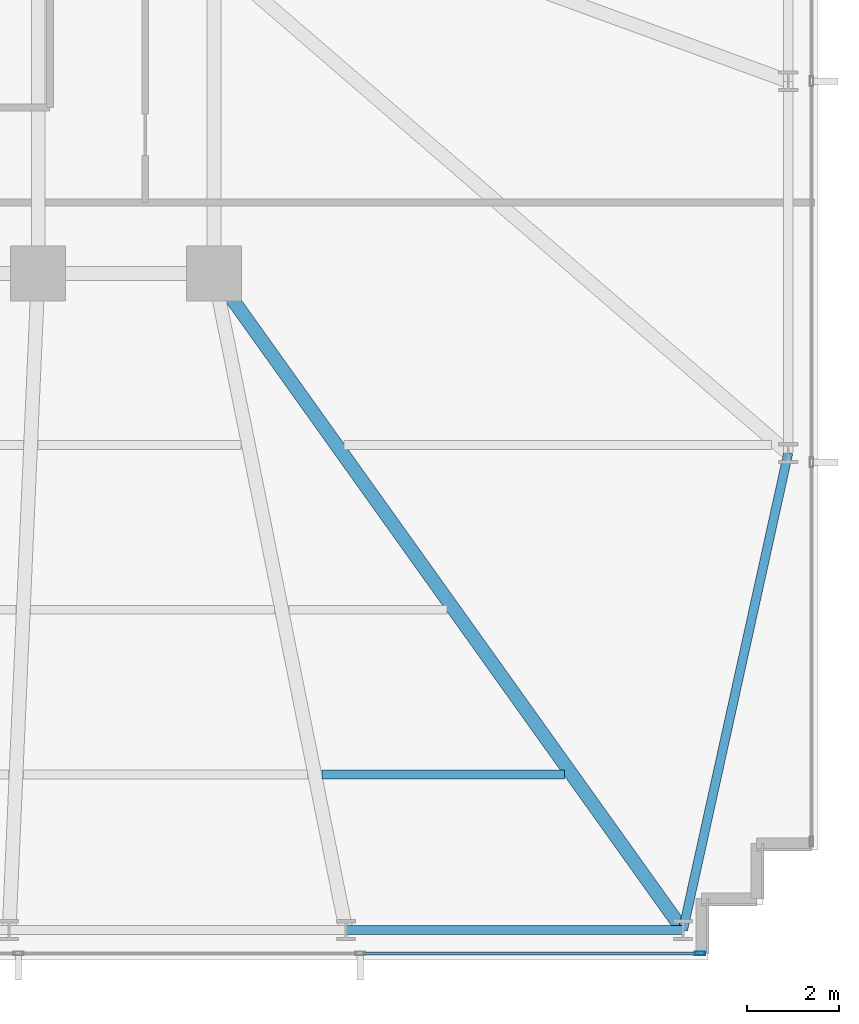
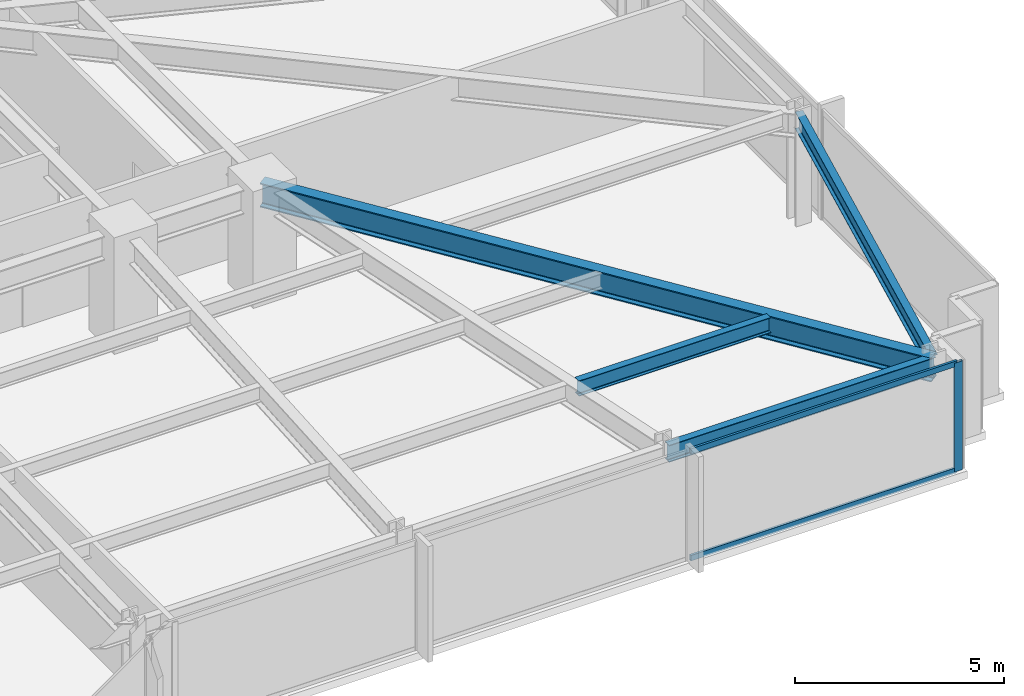
# One storey, part 15 of 32: 4 beams, 3 members, 1 element without a shape of its own.
"""IFC4 building model written with IfcOpenShell, lengths in metres."""

from ifc_helpers import new_model, si_unit, direction, frame, origin, origin_2d, place, context, subcontext, project, spatial, hollow_rectangle, i_section, extrude, material, material_profile, profile_set, type_object, element, aggregate, save


model = new_model("IFC4")

# Units and contexts
model_context = context("Model", 3, precision=1e-05, world=origin(), true_north=direction((0.0, 1.0)))
body_context = subcontext(model_context, "Body", "Model", "MODEL_VIEW")
ifc_project = project(units=[si_unit("LENGTHUNIT", "METRE"), si_unit("AREAUNIT", "SQUARE_METRE"), si_unit("VOLUMEUNIT", "CUBIC_METRE"), si_unit("PLANEANGLEUNIT", "RADIAN"), si_unit("MASSUNIT", "GRAM", prefix="KILO")], contexts=[model_context])

# Site, building, storey
site_placement = place(None, origin())
site = spatial("IfcSite", under=ifc_project, at=site_placement, CompositionType="ELEMENT")
building_placement = place(site_placement, origin())
building = spatial("IfcBuilding", under=site, at=building_placement, Name="Yelkora Congress Tower", CompositionType="ELEMENT")
storey_placement = place(building_placement, frame((0.0, 0.0, 61.0)))
storey = spatial("IfcBuildingStorey", under=building, at=storey_placement, Name="L15", CompositionType="ELEMENT", Elevation=61.0)

# Beams
ifc_material_1 = material(Name="Steel S355J2", Category="steel")
ifc_material_profile_1 = material_profile(ifc_material_1, i_section(OverallWidth=0.300048828125, OverallDepth=0.699951171875, WebThickness=0.01708984375, FlangeThickness=0.031982421875, FilletRadius=0.027099609375, at=origin_2d()), Name="HEB 700")
ifc_profile_set_1 = profile_set([ifc_material_profile_1], Name="Steel S355J2")
beam_type_1 = type_object("IfcBeamType", Name="BM-GIRD-HEB700", PredefinedType="BEAM", material=ifc_profile_set_1)
beam_1_placement = place(storey_placement, frame((67.85009765625, 10.85009765625, 2.830078125), z_axis=(-0.581242122521, 0.813730664906, 0.0), x_axis=(-0.813730664906, -0.581242122521, 0.0)))
element("IfcBeam", 1, at=beam_1_placement, inside=storey, type_object=beam_type_1, Name="L15 Primary Frame Girder S09", PredefinedType="BEAM", context=body_context, shape_type="SweptSolid", body=[
    extrude(i_section(OverallWidth=0.300048828125, OverallDepth=0.699951171875, WebThickness=0.01708984375, FlangeThickness=0.031982421875, FilletRadius=0.027099609375, at=origin_2d()), origin(), (0.0, 0.0, 1.0), 17.634765625),
])
ifc_material_profile_2 = material_profile(ifc_material_1, i_section(OverallWidth=0.18994140625, OverallDepth=0.449951171875, WebThickness=0.009521484375, FlangeThickness=0.0146484375, FilletRadius=0.02099609375, at=origin_2d()), Name="IPE 450")
ifc_profile_set_2 = profile_set([ifc_material_profile_2], Name="Steel S355J2")
beam_type_2 = type_object("IfcBeamType", Name="BM-JOIST-IPE450", PredefinedType="JOIST", material=ifc_profile_set_2)
beam_2_placement = place(storey_placement, frame((59.96337890625, 14.25, 2.955078125), z_axis=(1.0, 0.0, 0.0), x_axis=(0.0, 1.0, 0.0)))
element("IfcBeam", 2, at=beam_2_placement, inside=storey, type_object=beam_type_2, Name="L15 Composite Floor Joist 8", PredefinedType="JOIST", context=body_context, shape_type="SweptSolid", body=[
    extrude(i_section(OverallWidth=0.18994140625, OverallDepth=0.449951171875, WebThickness=0.009521484375, FlangeThickness=0.0146484375, FilletRadius=0.02099609375, at=origin_2d()), origin(), (0.0, 0.0, 1.0), 5.298095703125),
])
ifc_material_profile_3 = material_profile(ifc_material_1, i_section(OverallWidth=0.199951171875, OverallDepth=0.5, WebThickness=0.01025390625, FlangeThickness=0.01611328125, FilletRadius=0.02099609375, at=origin_2d()), Name="IPE 500")
ifc_profile_set_3 = profile_set([ifc_material_profile_3], Name="Steel S355J2")
beam_type_3 = type_object("IfcBeamType", Name="BM-SPAN-IPE500", PredefinedType="SPANDREL", material=ifc_profile_set_3)
beam_3_placement = place(storey_placement, frame((60.487548828125, 10.85009765625, 2.929931640625), z_axis=(1.0, 0.0, 0.0), x_axis=(0.0, 1.0, 0.0)))
element("IfcBeam", 3, at=beam_3_placement, inside=storey, type_object=beam_type_3, Name="L15 Perimeter Beam 9", PredefinedType="SPANDREL", context=body_context, shape_type="SweptSolid", body=[
    extrude(i_section(OverallWidth=0.199951171875, OverallDepth=0.5, WebThickness=0.01025390625, FlangeThickness=0.01611328125, FilletRadius=0.02099609375, at=origin_2d()), origin(), (0.0, 0.0, 1.0), 7.362548828125),
])
beam_4_placement = place(storey_placement, frame((67.85009765625, 10.85009765625, 2.929931640625), z_axis=(0.215428898349, 0.97651952861, 0.0), x_axis=(-0.97651952861, 0.215428898349, 0.0)))
element("IfcBeam", 4, at=beam_4_placement, inside=storey, type_object=beam_type_3, Name="L15 Perimeter Beam 10", PredefinedType="SPANDREL", context=body_context, shape_type="SweptSolid", body=[
    extrude(i_section(OverallWidth=0.199951171875, OverallDepth=0.5, WebThickness=0.01025390625, FlangeThickness=0.01611328125, FilletRadius=0.02099609375, at=origin_2d()), origin(), (0.0, 0.0, 1.0), 10.675537109375),
])

# Curtain wall, members
ifc_material_2 = material(Name="Anodised aluminium and insulated glass", Category="aluminium")
curtain_wall_type = type_object("IfcCurtainWallType", Name="CW-SYS-B1", PredefinedType="NOTDEFINED", material=ifc_material_2)
curtain_wall_placement = place(storey_placement, origin())
curtain_wall = element("IfcCurtainWall", 5, at=curtain_wall_placement, inside=storey, type_object=curtain_wall_type, Name="L15 Unitised Curtain Wall 20", PredefinedType="NOTDEFINED")
ifc_material_3 = material(Name="Anodised aluminium 6063-T6", Category="aluminium")
ifc_material_profile_4 = material_profile(ifc_material_3, hollow_rectangle(XDim=0.074951171875, YDim=0.219970703125, WallThickness=0.0048828125, at=origin_2d()), Name="ALU 75x220x5")
ifc_profile_set_4 = profile_set([ifc_material_profile_4], Name="Anodised aluminium 6063-T6")
member_type_1 = type_object("IfcMemberType", Name="MEM-ML-B1", PredefinedType="MULLION", material=ifc_profile_set_4)
member_1_placement = place(storey_placement, frame((68.222412109375, 10.340087890625, 0.0), z_axis=(0.0, 0.0, 1.0), x_axis=(0.0, -1.0, 0.0)))
member_1 = element("IfcMember", 6, at=member_1_placement, type_object=member_type_1, Name="CW-B1 mullion 1", PredefinedType="MULLION", context=body_context, shape_type="SweptSolid", body=[
    extrude(hollow_rectangle(XDim=0.074951171875, YDim=0.219970703125, WallThickness=0.0048828125, at=origin_2d()), origin(), (0.0, 0.0, 1.0), 3.179931640625),
])
ifc_material_profile_5 = material_profile(ifc_material_3, hollow_rectangle(XDim=0.06494140625, YDim=0.159912109375, WallThickness=0.00390625, at=origin_2d()), Name="ALU 65x160x4")
ifc_profile_set_5 = profile_set([ifc_material_profile_5], Name="Anodised aluminium 6063-T6")
member_type_2 = type_object("IfcMemberType", Name="MEM-TR-B1", PredefinedType="USERDEFINED", material=ifc_profile_set_5)
member_2_placement = place(storey_placement, frame((68.18505859375, 10.340087890625, 0.032470703125), z_axis=(-1.0, 0.0, 0.0), x_axis=(0.0, -1.0, 0.0)))
member_2 = element("IfcMember", 7, at=member_2_placement, type_object=member_type_2, Name="CW-B1 transom 1.1", ObjectType="TRANSOM", PredefinedType="USERDEFINED", context=body_context, shape_type="SweptSolid", body=[
    extrude(hollow_rectangle(XDim=0.06494140625, YDim=0.159912109375, WallThickness=0.00390625, at=origin_2d()), origin(), (0.0, 0.0, 1.0), 7.3525390625),
])
member_3_placement = place(storey_placement, frame((68.18505859375, 10.340087890625, 3.1474609375), z_axis=(-1.0, 0.0, 0.0), x_axis=(0.0, -1.0, 0.0)))
member_3 = element("IfcMember", 8, at=member_3_placement, type_object=member_type_2, Name="CW-B1 transom 1.2", ObjectType="TRANSOM", PredefinedType="USERDEFINED", context=body_context, shape_type="SweptSolid", body=[
    extrude(hollow_rectangle(XDim=0.06494140625, YDim=0.159912109375, WallThickness=0.00390625, at=origin_2d()), origin(), (0.0, 0.0, 1.0), 7.3525390625),
])
aggregate(curtain_wall, [member_1, member_2, member_3])

save(model, "model.ifc")
